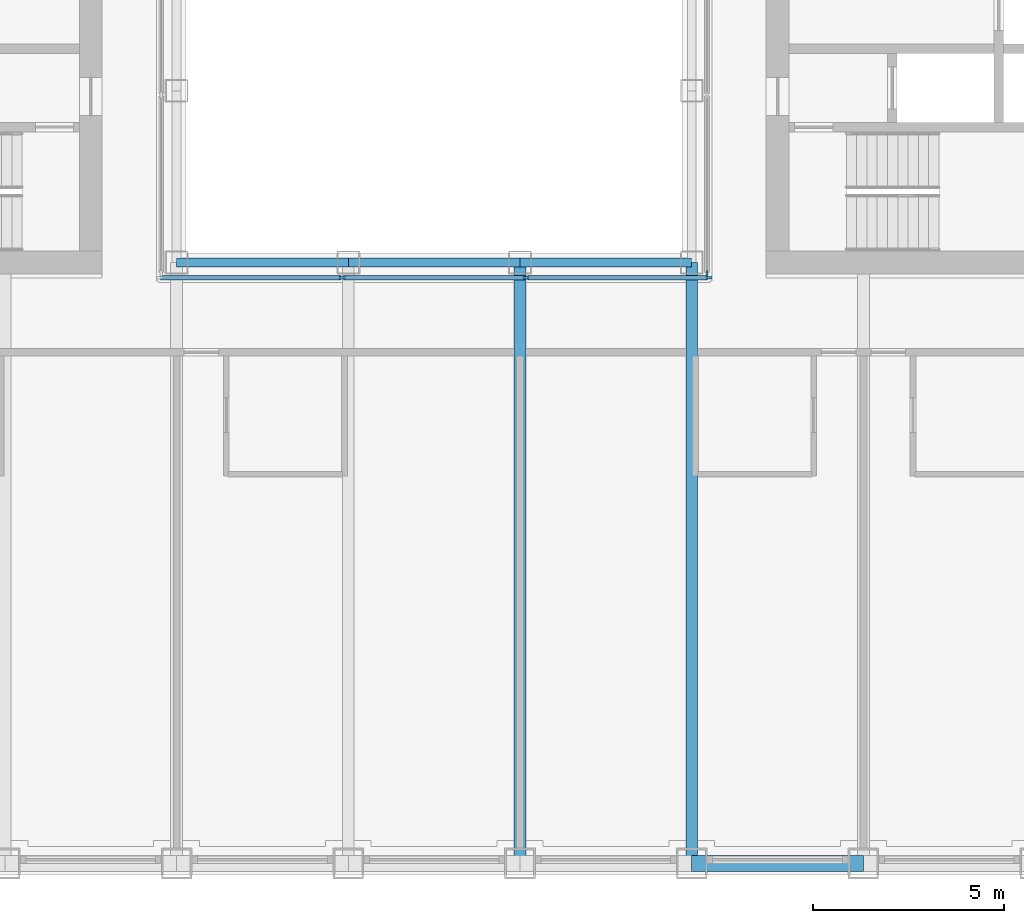
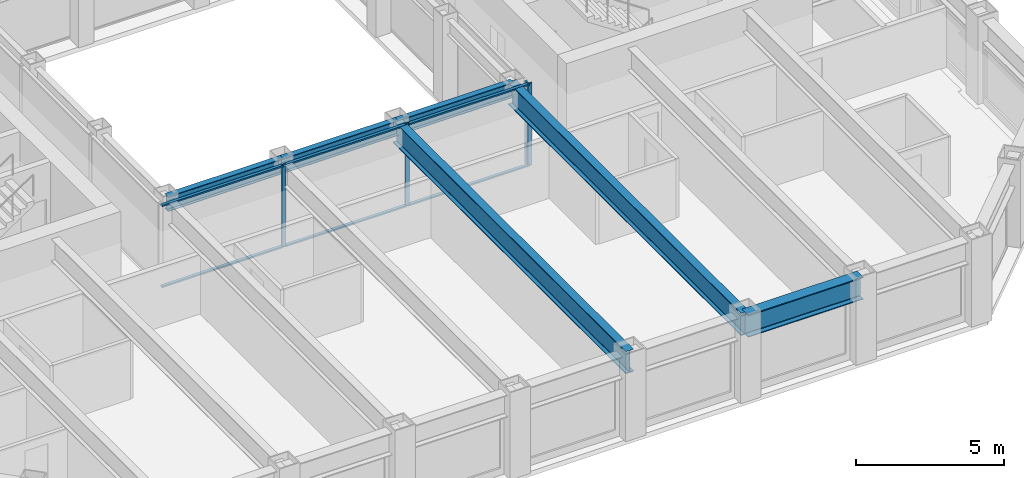
# One storey, part 3 of 17: 10 members, 6 beams, 2 elements without a shape of their own.
"""IFC4 building model written with IfcOpenShell, lengths in metres."""

from ifc_helpers import new_model, si_unit, direction, frame, origin, origin_2d, place, context, subcontext, project, spatial, rectangle, i_section, extrude, material, material_profile, profile_set, type_object, element, aggregate, save


model = new_model("IFC4")

# Units and contexts
model_context = context("Model", 3, precision=1e-05, world=origin(), true_north=direction((0.0, 1.0)))
body_context = subcontext(model_context, "Body", "Model", "MODEL_VIEW")
ifc_project = project(units=[si_unit("LENGTHUNIT", "METRE"), si_unit("AREAUNIT", "SQUARE_METRE"), si_unit("VOLUMEUNIT", "CUBIC_METRE"), si_unit("PLANEANGLEUNIT", "RADIAN"), si_unit("MASSUNIT", "GRAM", prefix="KILO")], contexts=[model_context])

# Site, building, storey
site_placement = place(None, origin())
site = spatial("IfcSite", under=ifc_project, at=site_placement, CompositionType="ELEMENT")
building_placement = place(site_placement, origin())
building = spatial("IfcBuilding", under=site, at=building_placement, Name="Msasa Ring Tower", CompositionType="ELEMENT")
storey_placement = place(building_placement, frame((0.0, 0.0, 179.60009765625)))
storey = spatial("IfcBuildingStorey", under=building, at=storey_placement, Name="L47", CompositionType="ELEMENT", Elevation=179.60009765625)

# Curtain wall, members
ifc_material_1 = material(Name="Aluminium curtain wall with clear glass", Category="aluminium")
curtain_wall_type = type_object("IfcCurtainWallType", Name="CW-W LIGHT WELL CURTAIN WALL", PredefinedType="NOTDEFINED", material=ifc_material_1)
curtain_wall_1_placement = place(storey_placement, origin())
curtain_wall_1 = element("IfcCurtainWall", 1, at=curtain_wall_1_placement, inside=storey, type_object=curtain_wall_type, Name="Light well curtain wall S L47", PredefinedType="NOTDEFINED")
ifc_material_2 = material(Name="Aluminium mullion", Category="aluminium")
ifc_material_profile_1 = material_profile(ifc_material_2, rectangle(XDim=0.06005859375, YDim=0.159912109375, at=origin_2d()), Name="AL 60x160")
ifc_profile_set_1 = profile_set([ifc_material_profile_1], Name="Aluminium mullion")
member_type_1 = type_object("IfcMemberType", Name="CW-W MULLION 60x160", PredefinedType="MULLION", material=ifc_profile_set_1)
member_1_placement = place(storey_placement, frame((-2.409912109375, -7.14990234375, 0.0), z_axis=(0.0, 0.0, 1.0), x_axis=(0.0, 1.0, 0.0)))
member_1 = element("IfcMember", 2, at=member_1_placement, type_object=member_type_1, Name="CW-W mullion 2", PredefinedType="MULLION", context=body_context, shape_type="SweptSolid", body=[
    extrude(rectangle(XDim=0.06005859375, YDim=0.159912109375, at=origin_2d()), origin(), (0.0, 0.0, 1.0), 3.39990234375),
])
member_2_placement = place(storey_placement, frame((2.409912109375, -7.14990234375, 0.0), z_axis=(0.0, 0.0, 1.0), x_axis=(0.0, 1.0, 0.0)))
member_2 = element("IfcMember", 3, at=member_2_placement, type_object=member_type_1, Name="CW-W mullion 3", PredefinedType="MULLION", context=body_context, shape_type="SweptSolid", body=[
    extrude(rectangle(XDim=0.06005859375, YDim=0.159912109375, at=origin_2d()), origin(), (0.0, 0.0, 1.0), 3.39990234375),
])
member_3_placement = place(storey_placement, frame((7.199951171875, -7.14990234375, 0.0), z_axis=(0.0, 0.0, 1.0), x_axis=(0.0, 1.0, 0.0)))
member_3 = element("IfcMember", 4, at=member_3_placement, type_object=member_type_1, Name="CW-W mullion 4", PredefinedType="MULLION", context=body_context, shape_type="SweptSolid", body=[
    extrude(rectangle(XDim=0.06005859375, YDim=0.159912109375, at=origin_2d()), origin(), (0.0, 0.0, 1.0), 3.39990234375),
])

# Curtain wall, member
curtain_wall_2_placement = place(storey_placement, origin())
curtain_wall_2 = element("IfcCurtainWall", 5, at=curtain_wall_2_placement, inside=storey, type_object=curtain_wall_type, Name="Light well curtain wall E L47", PredefinedType="NOTDEFINED")
member_4_placement = place(storey_placement, frame((7.14990234375, -7.0400390625, 0.0), z_axis=(0.0, 0.0, 1.0), x_axis=(-1.0, 0.0, 0.0)))
member_4 = element("IfcMember", 6, at=member_4_placement, type_object=member_type_1, Name="CW-W mullion 1", PredefinedType="MULLION", context=body_context, shape_type="SweptSolid", body=[
    extrude(rectangle(XDim=0.06005859375, YDim=0.159912109375, at=origin_2d()), origin(), (0.0, 0.0, 1.0), 3.39990234375),
])
aggregate(curtain_wall_2, [member_4])

# Member
ifc_material_3 = material(Name="Aluminium transom", Category="aluminium")
ifc_material_profile_2 = material_profile(ifc_material_3, rectangle(XDim=0.1201171875, YDim=0.06005859375, at=origin_2d()), Name="AL 60x120")
ifc_profile_set_2 = profile_set([ifc_material_profile_2], Name="Aluminium transom")
member_type_2 = type_object("IfcMemberType", Name="CW-W TRANSOM 60x120", PredefinedType="USERDEFINED", material=ifc_profile_set_2)
member_5_placement = place(storey_placement, frame((-7.169921875, -7.14990234375, 0.02978515625), z_axis=(1.0, 0.0, 0.0), x_axis=(0.0, 1.0, 0.0)))
member_5 = element("IfcMember", 7, at=member_5_placement, type_object=member_type_2, Name="CW-W transom 1.1", ObjectType="TRANSOM", PredefinedType="USERDEFINED", context=body_context, shape_type="SweptSolid", body=[
    extrude(rectangle(XDim=0.1201171875, YDim=0.06005859375, at=origin_2d()), origin(), (0.0, 0.0, 1.0), 4.72998046875),
])

member_6_placement = place(storey_placement, frame((-7.169921875, -7.14990234375, 3.369873046875), z_axis=(1.0, 0.0, 0.0), x_axis=(0.0, 1.0, 0.0)))
member_6 = element("IfcMember", 8, at=member_6_placement, type_object=member_type_2, Name="CW-W transom 1.2", ObjectType="TRANSOM", PredefinedType="USERDEFINED", context=body_context, shape_type="SweptSolid", body=[
    extrude(rectangle(XDim=0.1201171875, YDim=0.06005859375, at=origin_2d()), origin(), (0.0, 0.0, 1.0), 4.72998046875),
])

member_7_placement = place(storey_placement, frame((-2.3798828125, -7.14990234375, 0.02978515625), z_axis=(1.0, 0.0, 0.0), x_axis=(0.0, 1.0, 0.0)))
member_7 = element("IfcMember", 9, at=member_7_placement, type_object=member_type_2, Name="CW-W transom 2.1", ObjectType="TRANSOM", PredefinedType="USERDEFINED", context=body_context, shape_type="SweptSolid", body=[
    extrude(rectangle(XDim=0.1201171875, YDim=0.06005859375, at=origin_2d()), origin(), (0.0, 0.0, 1.0), 4.759765625),
])

member_8_placement = place(storey_placement, frame((-2.3798828125, -7.14990234375, 3.369873046875), z_axis=(1.0, 0.0, 0.0), x_axis=(0.0, 1.0, 0.0)))
member_8 = element("IfcMember", 10, at=member_8_placement, type_object=member_type_2, Name="CW-W transom 2.2", ObjectType="TRANSOM", PredefinedType="USERDEFINED", context=body_context, shape_type="SweptSolid", body=[
    extrude(rectangle(XDim=0.1201171875, YDim=0.06005859375, at=origin_2d()), origin(), (0.0, 0.0, 1.0), 4.759765625),
])

member_9_placement = place(storey_placement, frame((2.43994140625, -7.14990234375, 0.02978515625), z_axis=(1.0, 0.0, 0.0), x_axis=(0.0, 1.0, 0.0)))
member_9 = element("IfcMember", 11, at=member_9_placement, type_object=member_type_2, Name="CW-W transom 3.1", ObjectType="TRANSOM", PredefinedType="USERDEFINED", context=body_context, shape_type="SweptSolid", body=[
    extrude(rectangle(XDim=0.1201171875, YDim=0.06005859375, at=origin_2d()), origin(), (0.0, 0.0, 1.0), 4.72998046875),
])

member_10_placement = place(storey_placement, frame((2.43994140625, -7.14990234375, 3.369873046875), z_axis=(1.0, 0.0, 0.0), x_axis=(0.0, 1.0, 0.0)))
member_10 = element("IfcMember", 12, at=member_10_placement, type_object=member_type_2, Name="CW-W transom 3.2", ObjectType="TRANSOM", PredefinedType="USERDEFINED", context=body_context, shape_type="SweptSolid", body=[
    extrude(rectangle(XDim=0.1201171875, YDim=0.06005859375, at=origin_2d()), origin(), (0.0, 0.0, 1.0), 4.72998046875),
])

aggregate(curtain_wall_1, [member_1, member_2, member_3, member_5, member_6, member_7, member_8, member_9, member_10])

# Beams
ifc_material_4 = material(Name="Steel S355", Category="steel")
ifc_material_profile_3 = material_profile(ifc_material_4, i_section(OverallWidth=0.3076171875, OverallDepth=0.926513671875, WebThickness=0.01953125, FlangeThickness=0.031982421875, FilletRadius=0.01904296875, at=origin_2d()), Name="UB 914x305x289")
ifc_profile_set_3 = profile_set([ifc_material_profile_3], Name="Steel S355")
beam_type_1 = type_object("IfcBeamType", Name="FB3 UB 914x305x289", PredefinedType="BEAM", material=ifc_profile_set_3)
for number, where, z_axis, x_axis, name in (
    (13, (2.25, -22.5, 2.9365234375), (0.0, 1.0, 0.0), (-1.0, 0.0, 0.0), "Floor beam S+2.25 under L48"),
    (14, (6.75, -22.5, 2.9365234375), (0.0, 1.0, 0.0), (-1.0, 0.0, 0.0), "Floor beam S+6.75 under L48"),
):
    element("IfcBeam", number, at=place(storey_placement, frame(where, z_axis=z_axis, x_axis=x_axis)), inside=storey, type_object=beam_type_1, Name=name, PredefinedType="BEAM", context=body_context, shape_type="SweptSolid", body=[
        extrude(i_section(OverallWidth=0.3076171875, OverallDepth=0.926513671875, WebThickness=0.01953125, FlangeThickness=0.031982421875, FilletRadius=0.01904296875, at=origin_2d()), origin(), (0.0, 0.0, 1.0), 15.75),
    ])
ifc_material_5 = material(Name="Steel S355", Category="steel")
ifc_material_profile_4 = material_profile(ifc_material_5, i_section(OverallWidth=0.230224609375, OverallDepth=0.6171875, WebThickness=0.01318359375, FlangeThickness=0.022216796875, FilletRadius=0.0126953125, at=origin_2d()), Name="UB 610x229x140")
ifc_profile_set_4 = profile_set([ifc_material_profile_4], Name="Steel S355")
beam_type_2 = type_object("IfcBeamType", Name="RB1 UB 610x229x140", PredefinedType="BEAM", material=ifc_profile_set_4)
for number, where, z_axis, x_axis, name in (
    (15, (-6.75, -6.75, 3.09130859375), (1.0, 0.0, 0.0), (0.0, 1.0, 0.0), "Inner ring beam IR-6.75-6.75 under L48"),
    (16, (-2.25, -6.75, 3.09130859375), (1.0, 0.0, 0.0), (0.0, 1.0, 0.0), "Inner ring beam IR-2.25-6.75 under L48"),
    (17, (2.25, -6.75, 3.09130859375), (1.0, 0.0, 0.0), (0.0, 1.0, 0.0), "Inner ring beam IR+2.25-6.75 under L48"),
):
    element("IfcBeam", number, at=place(storey_placement, frame(where, z_axis=z_axis, x_axis=x_axis)), inside=storey, type_object=beam_type_2, Name=name, PredefinedType="BEAM", context=body_context, shape_type="SweptSolid", body=[
        extrude(i_section(OverallWidth=0.230224609375, OverallDepth=0.6171875, WebThickness=0.01318359375, FlangeThickness=0.022216796875, FilletRadius=0.0126953125, at=origin_2d()), origin(), (0.0, 0.0, 1.0), 4.5),
    ])
ifc_material_6 = material(Name="Steel S355", Category="steel")
ifc_material_profile_5 = material_profile(ifc_material_6, i_section(OverallWidth=0.42041015625, OverallDepth=0.9208984375, WebThickness=0.021484375, FlangeThickness=0.03662109375, FilletRadius=0.024169921875, at=origin_2d()), Name="UB 914x419x388")
ifc_profile_set_5 = profile_set([ifc_material_profile_5], Name="Steel S355")
beam_type_3 = type_object("IfcBeamType", Name="SB1 UB 914x419x388", PredefinedType="SPANDREL", material=ifc_profile_set_5)
beam_placement = place(storey_placement, frame((6.75, -22.5, 2.939453125), z_axis=(1.0, 0.0, 0.0), x_axis=(0.0, 1.0, 0.0)))
element("IfcBeam", 18, at=beam_placement, inside=storey, type_object=beam_type_3, Name="Spandrel S+6.75 to S+11.25 under L48", PredefinedType="SPANDREL", context=body_context, shape_type="SweptSolid", body=[
    extrude(i_section(OverallWidth=0.42041015625, OverallDepth=0.9208984375, WebThickness=0.021484375, FlangeThickness=0.03662109375, FilletRadius=0.024169921875, at=origin_2d()), origin(), (0.0, 0.0, 1.0), 4.5),
])

save(model, "model.ifc")
